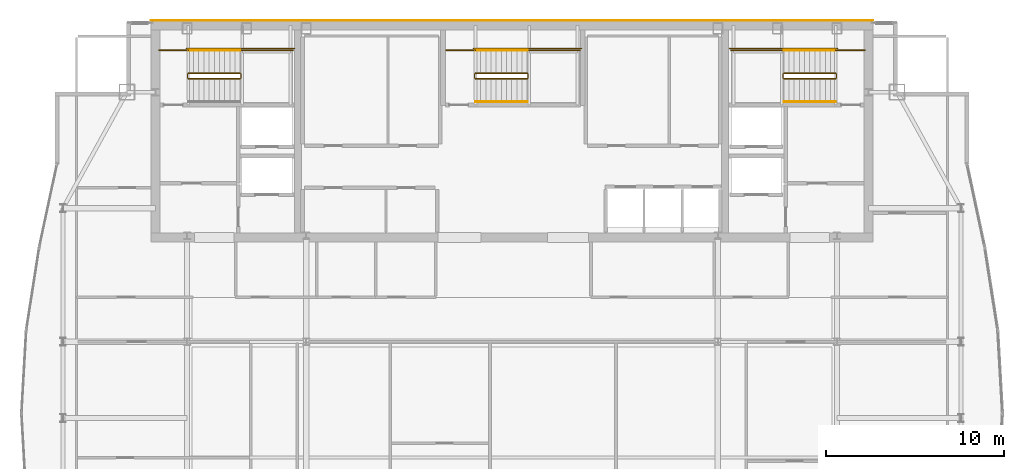
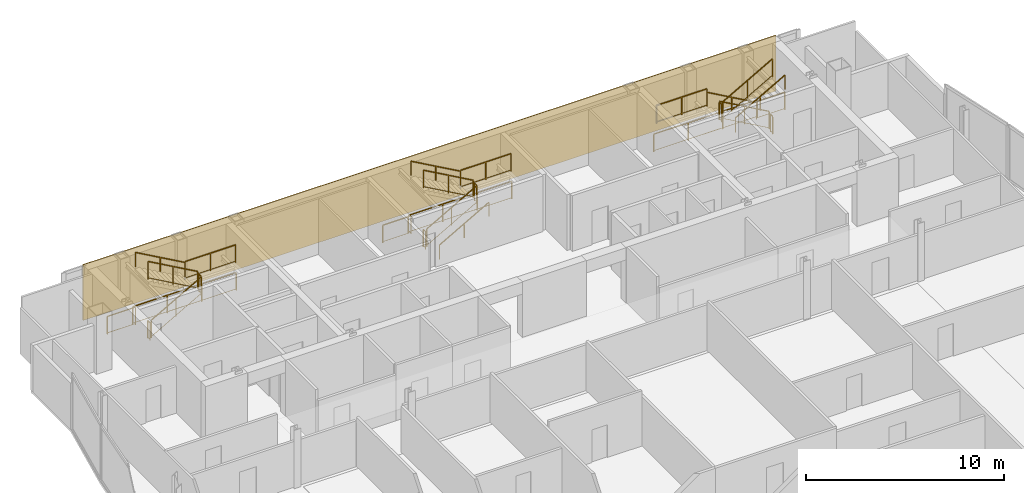
# One storey, part 29 of 29: 26 railings, 1 covering.
"""IFC4 building model written with IfcOpenShell, lengths in metres."""

from ifc_helpers import new_model, si_unit, direction, frame, origin, origin_2d, place, context, subcontext, project, spatial, polyline, rectangle, outline, extrude, material, layer, layer_set, type_object, element, save


model = new_model("IFC4")

# Units and contexts
model_context = context("Model", 3, precision=1e-05, world=origin(), true_north=direction((0.0, 1.0)))
body_context = subcontext(model_context, "Body", "Model", "MODEL_VIEW")
ifc_project = project(units=[si_unit("LENGTHUNIT", "METRE"), si_unit("AREAUNIT", "SQUARE_METRE"), si_unit("VOLUMEUNIT", "CUBIC_METRE"), si_unit("PLANEANGLEUNIT", "RADIAN"), si_unit("MASSUNIT", "GRAM", prefix="KILO")], contexts=[model_context])

# Site, building, storey
site_placement = place(None, origin())
site = spatial("IfcSite", under=ifc_project, at=site_placement, CompositionType="ELEMENT")
building_placement = place(site_placement, origin())
building = spatial("IfcBuilding", under=site, at=building_placement, Name="Khoronbel Lancet Exchange", CompositionType="ELEMENT")
storey_placement = place(building_placement, frame((0.0, 0.0, 329.0)))
storey = spatial("IfcBuildingStorey", under=building, at=storey_placement, Name="L85", CompositionType="ELEMENT", Elevation=329.0)

# Covering
ifc_material_1 = material(Name="Honed Egyptian Limestone & Bronze Rainscreen", Category="masonry")
ifc_layer = layer(ifc_material_1, 0.050048828125, Name="Honed Egyptian Limestone & Bronze Rainscreen")
ifc_layer_set = layer_set([ifc_layer], Name="Honed Egyptian Limestone & Bronze Rainscreen")
covering_type = type_object("IfcCoveringType", Name="COV-CLAD1", PredefinedType="CLADDING", material=ifc_layer_set)
covering_placement = place(storey_placement, origin())
element("IfcCovering", 1, at=covering_placement, inside=storey, type_object=covering_type, Name="Level L85 north rear-core stone and bronze rainscreen cladding", PredefinedType="CLADDING", context=body_context, shape_type="SweptSolid", body=[
    extrude(outline(polyline([(16.199951171875, 53.699951171875), (56.699951171875, 53.699951171875), (56.699951171875, 53.75), (16.199951171875, 53.75), (16.199951171875, 53.699951171875)])), origin(), (0.0, 0.0, 1.0), 3.43994140625),
])

# Railings
ifc_material_2 = material(Name="Painted Steel Balustrade", Category="steel")
railing_type_1 = type_object("IfcRailingType", Name="RL-STG110", PredefinedType="GUARDRAIL", material=ifc_material_2)
railing_1_placement = place(storey_placement, frame((18.300048828125, 50.449951171875, 0.16357421875)))
element("IfcRailing", 2, at=railing_1_placement, inside=storey, type_object=railing_type_1, Name="L85 ST1 stair guard 1", PredefinedType="GUARDRAIL", context=body_context, shape_type="SweptSolid", body=[
    extrude(rectangle(XDim=0.048095703125, YDim=0.048095703125, at=origin_2d()), frame((0.0, 0.0, 1.09619140625), z_axis=(0.870897200241, 0.0, 0.491465224214), x_axis=(0.0, 1.0, 0.0)), (0.0, 0.0, 1.0), 3.329833984375),
    extrude(rectangle(XDim=0.02392578125, YDim=0.02392578125, at=origin_2d()), frame((0.0, 0.0, 0.080078125), z_axis=(0.870897200241, 0.0, 0.491465224214), x_axis=(0.0, 1.0, 0.0)), (0.0, 0.0, 1.0), 3.329833984375),
    extrude(rectangle(XDim=0.0419921875, YDim=0.0419921875, at=origin_2d()), origin(), (0.0, 0.0, 1.0), 1.072021484375),
    extrude(rectangle(XDim=0.0419921875, YDim=0.0419921875, at=origin_2d()), frame((1.449951171875, 0.0, 0.818359375)), (0.0, 0.0, 1.0), 1.072021484375),
    extrude(rectangle(XDim=0.0419921875, YDim=0.0419921875, at=origin_2d()), frame((2.89990234375, 0.0, 1.636474609375)), (0.0, 0.0, 1.0), 1.072021484375),
])
railing_2_placement = place(storey_placement, frame((21.25, 50.5, 1.800048828125)))
element("IfcRailing", 3, at=railing_2_placement, inside=storey, type_object=railing_type_1, Name="L85 ST1 stair guard 2", PredefinedType="GUARDRAIL", context=body_context, shape_type="SweptSolid", body=[
    extrude(rectangle(XDim=0.048095703125, YDim=0.048095703125, at=origin_2d()), frame((0.0, 0.0, 1.09619140625), z_axis=(0.0, 1.0, 0.0), x_axis=(-1.0, 0.0, 0.0)), (0.0, 0.0, 1.0), 0.219970703125),
    extrude(rectangle(XDim=0.02392578125, YDim=0.02392578125, at=origin_2d()), frame((0.0, 0.0, 0.080078125), z_axis=(0.0, 1.0, 0.0), x_axis=(-1.0, 0.0, 0.0)), (0.0, 0.0, 1.0), 0.219970703125),
    extrude(rectangle(XDim=0.0419921875, YDim=0.0419921875, at=origin_2d()), origin(), (0.0, 0.0, 1.0), 1.072021484375),
    extrude(rectangle(XDim=0.0419921875, YDim=0.0419921875, at=origin_2d()), frame((0.0, 0.219970703125, 0.0)), (0.0, 0.0, 1.0), 1.072021484375),
])
railing_3_placement = place(storey_placement, frame((21.199951171875, 52.050048828125, 1.800048828125)))
element("IfcRailing", 4, at=railing_3_placement, inside=storey, type_object=railing_type_1, Name="L85 ST1 stair guard 3", PredefinedType="GUARDRAIL", context=body_context, shape_type="SweptSolid", body=[
    extrude(rectangle(XDim=0.048095703125, YDim=0.048095703125, at=origin_2d()), frame((0.0, 0.0, 1.09619140625), z_axis=(1.0, 0.0, 0.0), x_axis=(0.0, 1.0, 0.0)), (0.0, 0.0, 1.0), 2.949951171875),
    extrude(rectangle(XDim=0.02392578125, YDim=0.02392578125, at=origin_2d()), frame((0.0, 0.0, 0.080078125), z_axis=(1.0, 0.0, 0.0), x_axis=(0.0, 1.0, 0.0)), (0.0, 0.0, 1.0), 2.949951171875),
    extrude(rectangle(XDim=0.0419921875, YDim=0.0419921875, at=origin_2d()), origin(), (0.0, 0.0, 1.0), 1.072021484375),
    extrude(rectangle(XDim=0.0419921875, YDim=0.0419921875, at=origin_2d()), frame((1.47509765625, 0.0, 0.0)), (0.0, 0.0, 1.0), 1.072021484375),
    extrude(rectangle(XDim=0.0419921875, YDim=0.0419921875, at=origin_2d()), frame((2.949951171875, 0.0, 0.0)), (0.0, 0.0, 1.0), 1.072021484375),
])
railing_4_placement = place(storey_placement, frame((21.199951171875, 50.77001953125, 1.963623046875)))
element("IfcRailing", 5, at=railing_4_placement, inside=storey, type_object=railing_type_1, Name="L85 ST1 stair guard 4", PredefinedType="GUARDRAIL", context=body_context, shape_type="SweptSolid", body=[
    extrude(rectangle(XDim=0.048095703125, YDim=0.048095703125, at=origin_2d()), frame((0.0, 0.0, 1.09619140625), z_axis=(-0.870897200241, 0.0, 0.491465224214), x_axis=(0.0, -1.0, 0.0)), (0.0, 0.0, 1.0), 3.329833984375),
    extrude(rectangle(XDim=0.02392578125, YDim=0.02392578125, at=origin_2d()), frame((0.0, 0.0, 0.080078125), z_axis=(-0.870897200241, 0.0, 0.491465224214), x_axis=(0.0, -1.0, 0.0)), (0.0, 0.0, 1.0), 3.329833984375),
    extrude(rectangle(XDim=0.0419921875, YDim=0.0419921875, at=origin_2d()), origin(), (0.0, 0.0, 1.0), 1.072021484375),
    extrude(rectangle(XDim=0.0419921875, YDim=0.0419921875, at=origin_2d()), frame((-1.449951171875, 0.0, 0.818359375)), (0.0, 0.0, 1.0), 1.072021484375),
    extrude(rectangle(XDim=0.0419921875, YDim=0.0419921875, at=origin_2d()), frame((-2.89990234375, 0.0, 1.636474609375)), (0.0, 0.0, 1.0), 1.072021484375),
])
railing_5_placement = place(storey_placement, frame((18.25, 50.5, 0.0)))
element("IfcRailing", 6, at=railing_5_placement, inside=storey, type_object=railing_type_1, Name="L85 ST1 stair guard 5", PredefinedType="GUARDRAIL", context=body_context, shape_type="SweptSolid", body=[
    extrude(rectangle(XDim=0.048095703125, YDim=0.048095703125, at=origin_2d()), frame((0.0, 0.0, 1.09619140625), z_axis=(0.0, 1.0, 0.0), x_axis=(-1.0, 0.0, 0.0)), (0.0, 0.0, 1.0), 0.219970703125),
    extrude(rectangle(XDim=0.02392578125, YDim=0.02392578125, at=origin_2d()), frame((0.0, 0.0, 0.080078125), z_axis=(0.0, 1.0, 0.0), x_axis=(-1.0, 0.0, 0.0)), (0.0, 0.0, 1.0), 0.219970703125),
    extrude(rectangle(XDim=0.0419921875, YDim=0.0419921875, at=origin_2d()), origin(), (0.0, 0.0, 1.0), 1.072021484375),
    extrude(rectangle(XDim=0.0419921875, YDim=0.0419921875, at=origin_2d()), frame((0.0, 0.219970703125, 0.0)), (0.0, 0.0, 1.0), 1.072021484375),
])
railing_6_placement = place(storey_placement, frame((16.64990234375, 52.050048828125, 0.0)))
element("IfcRailing", 7, at=railing_6_placement, inside=storey, type_object=railing_type_1, Name="L85 ST1 stair guard 6", PredefinedType="GUARDRAIL", context=body_context, shape_type="SweptSolid", body=[
    extrude(rectangle(XDim=0.048095703125, YDim=0.048095703125, at=origin_2d()), frame((0.0, 0.0, 1.09619140625), z_axis=(1.0, 0.0, 0.0), x_axis=(0.0, 1.0, 0.0)), (0.0, 0.0, 1.0), 1.650146484375),
    extrude(rectangle(XDim=0.02392578125, YDim=0.02392578125, at=origin_2d()), frame((0.0, 0.0, 0.080078125), z_axis=(1.0, 0.0, 0.0), x_axis=(0.0, 1.0, 0.0)), (0.0, 0.0, 1.0), 1.650146484375),
    extrude(rectangle(XDim=0.0419921875, YDim=0.0419921875, at=origin_2d()), origin(), (0.0, 0.0, 1.0), 1.072021484375),
    extrude(rectangle(XDim=0.0419921875, YDim=0.0419921875, at=origin_2d()), frame((1.650146484375, 0.0, 0.0)), (0.0, 0.0, 1.0), 1.072021484375),
])
railing_7_placement = place(storey_placement, frame((18.199951171875, 52.14990234375, 0.0)))
element("IfcRailing", 8, at=railing_7_placement, inside=storey, type_object=railing_type_1, Name="L85 ST1 stair guard 7", PredefinedType="GUARDRAIL", context=body_context, shape_type="SweptSolid", body=[
    extrude(rectangle(XDim=0.048095703125, YDim=0.048095703125, at=origin_2d()), frame((0.0, 0.0, 1.09619140625), z_axis=(1.0, 0.0, 0.0), x_axis=(0.0, 1.0, 0.0)), (0.0, 0.0, 1.0), 6.050048828125),
    extrude(rectangle(XDim=0.02392578125, YDim=0.02392578125, at=origin_2d()), frame((0.0, 0.0, 0.080078125), z_axis=(1.0, 0.0, 0.0), x_axis=(0.0, 1.0, 0.0)), (0.0, 0.0, 1.0), 6.050048828125),
    extrude(rectangle(XDim=0.0419921875, YDim=0.0419921875, at=origin_2d()), origin(), (0.0, 0.0, 1.0), 1.072021484375),
    extrude(rectangle(XDim=0.0419921875, YDim=0.0419921875, at=origin_2d()), frame((2.0166015625, 0.0, 0.0)), (0.0, 0.0, 1.0), 1.072021484375),
    extrude(rectangle(XDim=0.0419921875, YDim=0.0419921875, at=origin_2d()), frame((4.033447265625, 0.0, 0.0)), (0.0, 0.0, 1.0), 1.072021484375),
    extrude(rectangle(XDim=0.0419921875, YDim=0.0419921875, at=origin_2d()), frame((6.050048828125, 0.0, 0.0)), (0.0, 0.0, 1.0), 1.072021484375),
])
railing_8_placement = place(storey_placement, frame((54.60009765625, 50.77001953125, 0.16357421875)))
element("IfcRailing", 9, at=railing_8_placement, inside=storey, type_object=railing_type_1, Name="L85 ST2 stair guard 1", PredefinedType="GUARDRAIL", context=body_context, shape_type="SweptSolid", body=[
    extrude(rectangle(XDim=0.048095703125, YDim=0.048095703125, at=origin_2d()), frame((0.0, 0.0, 1.09619140625), z_axis=(-0.870914908162, 0.0, 0.491433843708), x_axis=(0.0, -1.0, 0.0)), (0.0, 0.0, 1.0), 3.330078125),
    extrude(rectangle(XDim=0.02392578125, YDim=0.02392578125, at=origin_2d()), frame((0.0, 0.0, 0.080078125), z_axis=(-0.870914908162, 0.0, 0.491433843708), x_axis=(0.0, -1.0, 0.0)), (0.0, 0.0, 1.0), 3.330078125),
    extrude(rectangle(XDim=0.0419921875, YDim=0.0419921875, at=origin_2d()), origin(), (0.0, 0.0, 1.0), 1.072021484375),
    extrude(rectangle(XDim=0.0419921875, YDim=0.0419921875, at=origin_2d()), frame((-1.4501953125, 0.0, 0.818359375)), (0.0, 0.0, 1.0), 1.072021484375),
    extrude(rectangle(XDim=0.0419921875, YDim=0.0419921875, at=origin_2d()), frame((-2.900146484375, 0.0, 1.636474609375)), (0.0, 0.0, 1.0), 1.072021484375),
])
railing_9_placement = place(storey_placement, frame((51.64990234375, 50.719970703125, 1.800048828125)))
element("IfcRailing", 10, at=railing_9_placement, inside=storey, type_object=railing_type_1, Name="L85 ST2 stair guard 2", PredefinedType="GUARDRAIL", context=body_context, shape_type="SweptSolid", body=[
    extrude(rectangle(XDim=0.048095703125, YDim=0.048095703125, at=origin_2d()), frame((0.0, 0.0, 1.09619140625), z_axis=(0.0, -1.0, 0.0), x_axis=(1.0, 0.0, 0.0)), (0.0, 0.0, 1.0), 0.219970703125),
    extrude(rectangle(XDim=0.02392578125, YDim=0.02392578125, at=origin_2d()), frame((0.0, 0.0, 0.080078125), z_axis=(0.0, -1.0, 0.0), x_axis=(1.0, 0.0, 0.0)), (0.0, 0.0, 1.0), 0.219970703125),
    extrude(rectangle(XDim=0.0419921875, YDim=0.0419921875, at=origin_2d()), origin(), (0.0, 0.0, 1.0), 1.072021484375),
    extrude(rectangle(XDim=0.0419921875, YDim=0.0419921875, at=origin_2d()), frame((0.0, -0.219970703125, 0.0)), (0.0, 0.0, 1.0), 1.072021484375),
])
railing_10_placement = place(storey_placement, frame((51.699951171875, 52.050048828125, 1.800048828125)))
element("IfcRailing", 11, at=railing_10_placement, inside=storey, type_object=railing_type_1, Name="L85 ST2 stair guard 3", PredefinedType="GUARDRAIL", context=body_context, shape_type="SweptSolid", body=[
    extrude(rectangle(XDim=0.048095703125, YDim=0.048095703125, at=origin_2d()), frame((0.0, 0.0, 1.09619140625), z_axis=(-1.0, 0.0, 0.0), x_axis=(0.0, -1.0, 0.0)), (0.0, 0.0, 1.0), 2.949951171875),
    extrude(rectangle(XDim=0.02392578125, YDim=0.02392578125, at=origin_2d()), frame((0.0, 0.0, 0.080078125), z_axis=(-1.0, 0.0, 0.0), x_axis=(0.0, -1.0, 0.0)), (0.0, 0.0, 1.0), 2.949951171875),
    extrude(rectangle(XDim=0.0419921875, YDim=0.0419921875, at=origin_2d()), origin(), (0.0, 0.0, 1.0), 1.072021484375),
    extrude(rectangle(XDim=0.0419921875, YDim=0.0419921875, at=origin_2d()), frame((-1.47509765625, 0.0, 0.0)), (0.0, 0.0, 1.0), 1.072021484375),
    extrude(rectangle(XDim=0.0419921875, YDim=0.0419921875, at=origin_2d()), frame((-2.949951171875, 0.0, 0.0)), (0.0, 0.0, 1.0), 1.072021484375),
])
railing_11_placement = place(storey_placement, frame((51.699951171875, 50.449951171875, 1.963623046875)))
element("IfcRailing", 12, at=railing_11_placement, inside=storey, type_object=railing_type_1, Name="L85 ST2 stair guard 4", PredefinedType="GUARDRAIL", context=body_context, shape_type="SweptSolid", body=[
    extrude(rectangle(XDim=0.048095703125, YDim=0.048095703125, at=origin_2d()), frame((0.0, 0.0, 1.09619140625), z_axis=(0.870914908162, 0.0, 0.491433843708), x_axis=(0.0, 1.0, 0.0)), (0.0, 0.0, 1.0), 3.330078125),
    extrude(rectangle(XDim=0.02392578125, YDim=0.02392578125, at=origin_2d()), frame((0.0, 0.0, 0.080078125), z_axis=(0.870914908162, 0.0, 0.491433843708), x_axis=(0.0, 1.0, 0.0)), (0.0, 0.0, 1.0), 3.330078125),
    extrude(rectangle(XDim=0.0419921875, YDim=0.0419921875, at=origin_2d()), origin(), (0.0, 0.0, 1.0), 1.072021484375),
    extrude(rectangle(XDim=0.0419921875, YDim=0.0419921875, at=origin_2d()), frame((1.4501953125, 0.0, 0.818359375)), (0.0, 0.0, 1.0), 1.072021484375),
    extrude(rectangle(XDim=0.0419921875, YDim=0.0419921875, at=origin_2d()), frame((2.900146484375, 0.0, 1.636474609375)), (0.0, 0.0, 1.0), 1.072021484375),
])
railing_12_placement = place(storey_placement, frame((54.64990234375, 50.719970703125, 0.0)))
element("IfcRailing", 13, at=railing_12_placement, inside=storey, type_object=railing_type_1, Name="L85 ST2 stair guard 5", PredefinedType="GUARDRAIL", context=body_context, shape_type="SweptSolid", body=[
    extrude(rectangle(XDim=0.048095703125, YDim=0.048095703125, at=origin_2d()), frame((0.0, 0.0, 1.09619140625), z_axis=(0.0, -1.0, 0.0), x_axis=(1.0, 0.0, 0.0)), (0.0, 0.0, 1.0), 0.219970703125),
    extrude(rectangle(XDim=0.02392578125, YDim=0.02392578125, at=origin_2d()), frame((0.0, 0.0, 0.080078125), z_axis=(0.0, -1.0, 0.0), x_axis=(1.0, 0.0, 0.0)), (0.0, 0.0, 1.0), 0.219970703125),
    extrude(rectangle(XDim=0.0419921875, YDim=0.0419921875, at=origin_2d()), origin(), (0.0, 0.0, 1.0), 1.072021484375),
    extrude(rectangle(XDim=0.0419921875, YDim=0.0419921875, at=origin_2d()), frame((0.0, -0.219970703125, 0.0)), (0.0, 0.0, 1.0), 1.072021484375),
])
railing_13_placement = place(storey_placement, frame((56.25, 52.050048828125, 0.0)))
element("IfcRailing", 14, at=railing_13_placement, inside=storey, type_object=railing_type_1, Name="L85 ST2 stair guard 6", PredefinedType="GUARDRAIL", context=body_context, shape_type="SweptSolid", body=[
    extrude(rectangle(XDim=0.048095703125, YDim=0.048095703125, at=origin_2d()), frame((0.0, 0.0, 1.09619140625), z_axis=(-1.0, 0.0, 0.0), x_axis=(0.0, -1.0, 0.0)), (0.0, 0.0, 1.0), 1.64990234375),
    extrude(rectangle(XDim=0.02392578125, YDim=0.02392578125, at=origin_2d()), frame((0.0, 0.0, 0.080078125), z_axis=(-1.0, 0.0, 0.0), x_axis=(0.0, -1.0, 0.0)), (0.0, 0.0, 1.0), 1.64990234375),
    extrude(rectangle(XDim=0.0419921875, YDim=0.0419921875, at=origin_2d()), origin(), (0.0, 0.0, 1.0), 1.072021484375),
    extrude(rectangle(XDim=0.0419921875, YDim=0.0419921875, at=origin_2d()), frame((-1.64990234375, 0.0, 0.0)), (0.0, 0.0, 1.0), 1.072021484375),
])
railing_14_placement = place(storey_placement, frame((54.699951171875, 52.14990234375, 0.0)))
element("IfcRailing", 15, at=railing_14_placement, inside=storey, type_object=railing_type_1, Name="L85 ST2 stair guard 7", PredefinedType="GUARDRAIL", context=body_context, shape_type="SweptSolid", body=[
    extrude(rectangle(XDim=0.048095703125, YDim=0.048095703125, at=origin_2d()), frame((0.0, 0.0, 1.09619140625), z_axis=(-1.0, 0.0, 0.0), x_axis=(0.0, -1.0, 0.0)), (0.0, 0.0, 1.0), 6.050048828125),
    extrude(rectangle(XDim=0.02392578125, YDim=0.02392578125, at=origin_2d()), frame((0.0, 0.0, 0.080078125), z_axis=(-1.0, 0.0, 0.0), x_axis=(0.0, -1.0, 0.0)), (0.0, 0.0, 1.0), 6.050048828125),
    extrude(rectangle(XDim=0.0419921875, YDim=0.0419921875, at=origin_2d()), origin(), (0.0, 0.0, 1.0), 1.072021484375),
    extrude(rectangle(XDim=0.0419921875, YDim=0.0419921875, at=origin_2d()), frame((-2.0166015625, 0.0, 0.0)), (0.0, 0.0, 1.0), 1.072021484375),
    extrude(rectangle(XDim=0.0419921875, YDim=0.0419921875, at=origin_2d()), frame((-4.033447265625, 0.0, 0.0)), (0.0, 0.0, 1.0), 1.072021484375),
    extrude(rectangle(XDim=0.0419921875, YDim=0.0419921875, at=origin_2d()), frame((-6.050048828125, 0.0, 0.0)), (0.0, 0.0, 1.0), 1.072021484375),
])
railing_15_placement = place(storey_placement, frame((34.39990234375, 50.449951171875, 0.16357421875)))
element("IfcRailing", 16, at=railing_15_placement, inside=storey, type_object=railing_type_1, Name="L85 ST3 stair guard 1", PredefinedType="GUARDRAIL", context=body_context, shape_type="SweptSolid", body=[
    extrude(rectangle(XDim=0.048095703125, YDim=0.048095703125, at=origin_2d()), frame((0.0, 0.0, 1.09619140625), z_axis=(0.870914908162, 0.0, 0.491433843708), x_axis=(0.0, 1.0, 0.0)), (0.0, 0.0, 1.0), 3.330078125),
    extrude(rectangle(XDim=0.02392578125, YDim=0.02392578125, at=origin_2d()), frame((0.0, 0.0, 0.080078125), z_axis=(0.870914908162, 0.0, 0.491433843708), x_axis=(0.0, 1.0, 0.0)), (0.0, 0.0, 1.0), 3.330078125),
    extrude(rectangle(XDim=0.0419921875, YDim=0.0419921875, at=origin_2d()), origin(), (0.0, 0.0, 1.0), 1.072021484375),
    extrude(rectangle(XDim=0.0419921875, YDim=0.0419921875, at=origin_2d()), frame((1.4501953125, 0.0, 0.818359375)), (0.0, 0.0, 1.0), 1.072021484375),
    extrude(rectangle(XDim=0.0419921875, YDim=0.0419921875, at=origin_2d()), frame((2.900146484375, 0.0, 1.636474609375)), (0.0, 0.0, 1.0), 1.072021484375),
])
railing_16_placement = place(storey_placement, frame((37.35009765625, 50.5, 1.800048828125)))
element("IfcRailing", 17, at=railing_16_placement, inside=storey, type_object=railing_type_1, Name="L85 ST3 stair guard 2", PredefinedType="GUARDRAIL", context=body_context, shape_type="SweptSolid", body=[
    extrude(rectangle(XDim=0.048095703125, YDim=0.048095703125, at=origin_2d()), frame((0.0, 0.0, 1.09619140625), z_axis=(0.0, 1.0, 0.0), x_axis=(-1.0, 0.0, 0.0)), (0.0, 0.0, 1.0), 0.219970703125),
    extrude(rectangle(XDim=0.02392578125, YDim=0.02392578125, at=origin_2d()), frame((0.0, 0.0, 0.080078125), z_axis=(0.0, 1.0, 0.0), x_axis=(-1.0, 0.0, 0.0)), (0.0, 0.0, 1.0), 0.219970703125),
    extrude(rectangle(XDim=0.0419921875, YDim=0.0419921875, at=origin_2d()), origin(), (0.0, 0.0, 1.0), 1.072021484375),
    extrude(rectangle(XDim=0.0419921875, YDim=0.0419921875, at=origin_2d()), frame((0.0, 0.219970703125, 0.0)), (0.0, 0.0, 1.0), 1.072021484375),
])
railing_17_placement = place(storey_placement, frame((37.300048828125, 52.050048828125, 1.800048828125)))
element("IfcRailing", 18, at=railing_17_placement, inside=storey, type_object=railing_type_1, Name="L85 ST3 stair guard 3", PredefinedType="GUARDRAIL", context=body_context, shape_type="SweptSolid", body=[
    extrude(rectangle(XDim=0.048095703125, YDim=0.048095703125, at=origin_2d()), frame((0.0, 0.0, 1.09619140625), z_axis=(1.0, 0.0, 0.0), x_axis=(0.0, 1.0, 0.0)), (0.0, 0.0, 1.0), 2.949951171875),
    extrude(rectangle(XDim=0.02392578125, YDim=0.02392578125, at=origin_2d()), frame((0.0, 0.0, 0.080078125), z_axis=(1.0, 0.0, 0.0), x_axis=(0.0, 1.0, 0.0)), (0.0, 0.0, 1.0), 2.949951171875),
    extrude(rectangle(XDim=0.0419921875, YDim=0.0419921875, at=origin_2d()), origin(), (0.0, 0.0, 1.0), 1.072021484375),
    extrude(rectangle(XDim=0.0419921875, YDim=0.0419921875, at=origin_2d()), frame((1.47509765625, 0.0, 0.0)), (0.0, 0.0, 1.0), 1.072021484375),
    extrude(rectangle(XDim=0.0419921875, YDim=0.0419921875, at=origin_2d()), frame((2.949951171875, 0.0, 0.0)), (0.0, 0.0, 1.0), 1.072021484375),
])
railing_18_placement = place(storey_placement, frame((37.300048828125, 50.77001953125, 1.963623046875)))
element("IfcRailing", 19, at=railing_18_placement, inside=storey, type_object=railing_type_1, Name="L85 ST3 stair guard 4", PredefinedType="GUARDRAIL", context=body_context, shape_type="SweptSolid", body=[
    extrude(rectangle(XDim=0.048095703125, YDim=0.048095703125, at=origin_2d()), frame((0.0, 0.0, 1.09619140625), z_axis=(-0.870914908162, 0.0, 0.491433843708), x_axis=(0.0, -1.0, 0.0)), (0.0, 0.0, 1.0), 3.330078125),
    extrude(rectangle(XDim=0.02392578125, YDim=0.02392578125, at=origin_2d()), frame((0.0, 0.0, 0.080078125), z_axis=(-0.870914908162, 0.0, 0.491433843708), x_axis=(0.0, -1.0, 0.0)), (0.0, 0.0, 1.0), 3.330078125),
    extrude(rectangle(XDim=0.0419921875, YDim=0.0419921875, at=origin_2d()), origin(), (0.0, 0.0, 1.0), 1.072021484375),
    extrude(rectangle(XDim=0.0419921875, YDim=0.0419921875, at=origin_2d()), frame((-1.4501953125, 0.0, 0.818359375)), (0.0, 0.0, 1.0), 1.072021484375),
    extrude(rectangle(XDim=0.0419921875, YDim=0.0419921875, at=origin_2d()), frame((-2.900146484375, 0.0, 1.636474609375)), (0.0, 0.0, 1.0), 1.072021484375),
])
railing_19_placement = place(storey_placement, frame((34.35009765625, 50.5, 0.0)))
element("IfcRailing", 20, at=railing_19_placement, inside=storey, type_object=railing_type_1, Name="L85 ST3 stair guard 5", PredefinedType="GUARDRAIL", context=body_context, shape_type="SweptSolid", body=[
    extrude(rectangle(XDim=0.048095703125, YDim=0.048095703125, at=origin_2d()), frame((0.0, 0.0, 1.09619140625), z_axis=(0.0, 1.0, 0.0), x_axis=(-1.0, 0.0, 0.0)), (0.0, 0.0, 1.0), 0.219970703125),
    extrude(rectangle(XDim=0.02392578125, YDim=0.02392578125, at=origin_2d()), frame((0.0, 0.0, 0.080078125), z_axis=(0.0, 1.0, 0.0), x_axis=(-1.0, 0.0, 0.0)), (0.0, 0.0, 1.0), 0.219970703125),
    extrude(rectangle(XDim=0.0419921875, YDim=0.0419921875, at=origin_2d()), origin(), (0.0, 0.0, 1.0), 1.072021484375),
    extrude(rectangle(XDim=0.0419921875, YDim=0.0419921875, at=origin_2d()), frame((0.0, 0.219970703125, 0.0)), (0.0, 0.0, 1.0), 1.072021484375),
])
railing_20_placement = place(storey_placement, frame((32.75, 52.050048828125, 0.0)))
element("IfcRailing", 21, at=railing_20_placement, inside=storey, type_object=railing_type_1, Name="L85 ST3 stair guard 6", PredefinedType="GUARDRAIL", context=body_context, shape_type="SweptSolid", body=[
    extrude(rectangle(XDim=0.048095703125, YDim=0.048095703125, at=origin_2d()), frame((0.0, 0.0, 1.09619140625), z_axis=(1.0, 0.0, 0.0), x_axis=(0.0, 1.0, 0.0)), (0.0, 0.0, 1.0), 1.64990234375),
    extrude(rectangle(XDim=0.02392578125, YDim=0.02392578125, at=origin_2d()), frame((0.0, 0.0, 0.080078125), z_axis=(1.0, 0.0, 0.0), x_axis=(0.0, 1.0, 0.0)), (0.0, 0.0, 1.0), 1.64990234375),
    extrude(rectangle(XDim=0.0419921875, YDim=0.0419921875, at=origin_2d()), origin(), (0.0, 0.0, 1.0), 1.072021484375),
    extrude(rectangle(XDim=0.0419921875, YDim=0.0419921875, at=origin_2d()), frame((1.64990234375, 0.0, 0.0)), (0.0, 0.0, 1.0), 1.072021484375),
])
railing_21_placement = place(storey_placement, frame((34.300048828125, 52.14990234375, 0.0)))
element("IfcRailing", 22, at=railing_21_placement, inside=storey, type_object=railing_type_1, Name="L85 ST3 stair guard 7", PredefinedType="GUARDRAIL", context=body_context, shape_type="SweptSolid", body=[
    extrude(rectangle(XDim=0.048095703125, YDim=0.048095703125, at=origin_2d()), frame((0.0, 0.0, 1.09619140625), z_axis=(1.0, 0.0, 0.0), x_axis=(0.0, 1.0, 0.0)), (0.0, 0.0, 1.0), 6.050048828125),
    extrude(rectangle(XDim=0.02392578125, YDim=0.02392578125, at=origin_2d()), frame((0.0, 0.0, 0.080078125), z_axis=(1.0, 0.0, 0.0), x_axis=(0.0, 1.0, 0.0)), (0.0, 0.0, 1.0), 6.050048828125),
    extrude(rectangle(XDim=0.0419921875, YDim=0.0419921875, at=origin_2d()), origin(), (0.0, 0.0, 1.0), 1.072021484375),
    extrude(rectangle(XDim=0.0419921875, YDim=0.0419921875, at=origin_2d()), frame((2.0166015625, 0.0, 0.0)), (0.0, 0.0, 1.0), 1.072021484375),
    extrude(rectangle(XDim=0.0419921875, YDim=0.0419921875, at=origin_2d()), frame((4.033447265625, 0.0, 0.0)), (0.0, 0.0, 1.0), 1.072021484375),
    extrude(rectangle(XDim=0.0419921875, YDim=0.0419921875, at=origin_2d()), frame((6.050048828125, 0.0, 0.0)), (0.0, 0.0, 1.0), 1.072021484375),
])
ifc_material_3 = material(Name="Brushed Stainless Steel 316", Category="steel")
railing_type_2 = type_object("IfcRailingType", Name="RL-STH92", PredefinedType="HANDRAIL", material=ifc_material_3)
railing_22_placement = place(storey_placement, frame((21.199951171875, 52.050048828125, 1.963623046875)))
element("IfcRailing", 23, at=railing_22_placement, inside=storey, type_object=railing_type_2, Name="L85 ST1 stair handrail 2", PredefinedType="HANDRAIL", context=body_context, shape_type="SweptSolid", body=[
    extrude(rectangle(XDim=0.048095703125, YDim=0.048095703125, at=origin_2d()), frame((0.0, 0.0, 0.8759765625), z_axis=(-0.870897200241, 0.0, 0.491465224214), x_axis=(0.0, -1.0, 0.0)), (0.0, 0.0, 1.0), 3.329833984375),
    extrude(rectangle(XDim=0.0419921875, YDim=0.0419921875, at=origin_2d()), origin(), (0.0, 0.0, 1.0), 0.851806640625),
    extrude(rectangle(XDim=0.0419921875, YDim=0.0419921875, at=origin_2d()), frame((-1.449951171875, 0.0, 0.818359375)), (0.0, 0.0, 1.0), 0.851806640625),
    extrude(rectangle(XDim=0.0419921875, YDim=0.0419921875, at=origin_2d()), frame((-2.89990234375, 0.0, 1.636474609375)), (0.0, 0.0, 1.0), 0.851806640625),
])
railing_23_placement = place(storey_placement, frame((54.60009765625, 52.050048828125, 0.16357421875)))
element("IfcRailing", 24, at=railing_23_placement, inside=storey, type_object=railing_type_2, Name="L85 ST2 stair handrail 1", PredefinedType="HANDRAIL", context=body_context, shape_type="SweptSolid", body=[
    extrude(rectangle(XDim=0.048095703125, YDim=0.048095703125, at=origin_2d()), frame((0.0, 0.0, 0.8759765625), z_axis=(-0.870914908162, 0.0, 0.491433843708), x_axis=(0.0, -1.0, 0.0)), (0.0, 0.0, 1.0), 3.330078125),
    extrude(rectangle(XDim=0.0419921875, YDim=0.0419921875, at=origin_2d()), origin(), (0.0, 0.0, 1.0), 0.851806640625),
    extrude(rectangle(XDim=0.0419921875, YDim=0.0419921875, at=origin_2d()), frame((-1.4501953125, 0.0, 0.818359375)), (0.0, 0.0, 1.0), 0.851806640625),
    extrude(rectangle(XDim=0.0419921875, YDim=0.0419921875, at=origin_2d()), frame((-2.900146484375, 0.0, 1.636474609375)), (0.0, 0.0, 1.0), 0.851806640625),
])
for number, where, name in (
    (25, (51.699951171875, 49.169921875, 1.963623046875), "L85 ST2 stair handrail 2"),
    (26, (34.39990234375, 49.169921875, 0.16357421875), "L85 ST3 stair handrail 1"),
):
    element("IfcRailing", number, at=place(storey_placement, frame(where)), inside=storey, type_object=railing_type_2, Name=name, PredefinedType="HANDRAIL", context=body_context, shape_type="SweptSolid", body=[
        extrude(rectangle(XDim=0.048095703125, YDim=0.048095703125, at=origin_2d()), frame((0.0, 0.0, 0.8759765625), z_axis=(0.870914908162, 0.0, 0.491433843708), x_axis=(0.0, 1.0, 0.0)), (0.0, 0.0, 1.0), 3.330078125),
        extrude(rectangle(XDim=0.0419921875, YDim=0.0419921875, at=origin_2d()), origin(), (0.0, 0.0, 1.0), 0.851806640625),
        extrude(rectangle(XDim=0.0419921875, YDim=0.0419921875, at=origin_2d()), frame((1.4501953125, 0.0, 0.818359375)), (0.0, 0.0, 1.0), 0.851806640625),
        extrude(rectangle(XDim=0.0419921875, YDim=0.0419921875, at=origin_2d()), frame((2.900146484375, 0.0, 1.636474609375)), (0.0, 0.0, 1.0), 0.851806640625),
    ])
railing_24_placement = place(storey_placement, frame((37.300048828125, 52.050048828125, 1.963623046875)))
element("IfcRailing", 27, at=railing_24_placement, inside=storey, type_object=railing_type_2, Name="L85 ST3 stair handrail 2", PredefinedType="HANDRAIL", context=body_context, shape_type="SweptSolid", body=[
    extrude(rectangle(XDim=0.048095703125, YDim=0.048095703125, at=origin_2d()), frame((0.0, 0.0, 0.8759765625), z_axis=(-0.870914908162, 0.0, 0.491433843708), x_axis=(0.0, -1.0, 0.0)), (0.0, 0.0, 1.0), 3.330078125),
    extrude(rectangle(XDim=0.0419921875, YDim=0.0419921875, at=origin_2d()), origin(), (0.0, 0.0, 1.0), 0.851806640625),
    extrude(rectangle(XDim=0.0419921875, YDim=0.0419921875, at=origin_2d()), frame((-1.4501953125, 0.0, 0.818359375)), (0.0, 0.0, 1.0), 0.851806640625),
    extrude(rectangle(XDim=0.0419921875, YDim=0.0419921875, at=origin_2d()), frame((-2.900146484375, 0.0, 1.636474609375)), (0.0, 0.0, 1.0), 0.851806640625),
])

save(model, "model.ifc")
